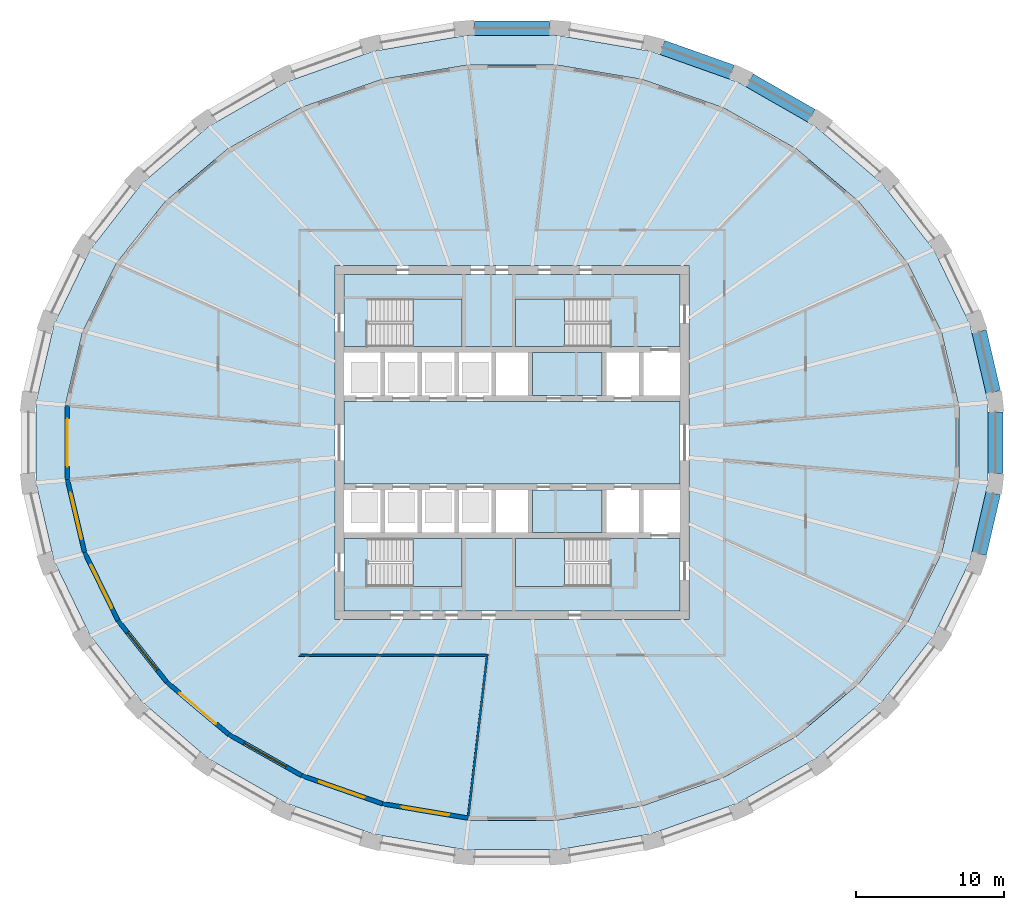
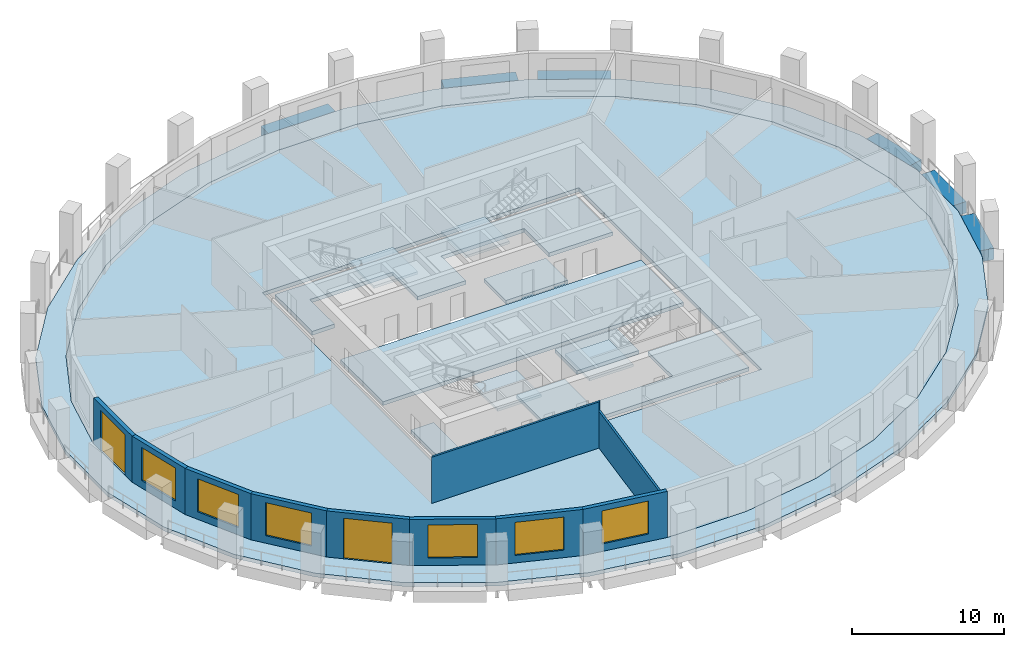
# One storey, part 2 of 10: 11 slabs, 10 walls, 6 beams, 6 windows, 2 doors, 8 openings, 4 elements without a shape of their own.
"""IFC4 building model written with IfcOpenShell, lengths in metres."""

from ifc_helpers import new_model, si_unit, direction, frame, frame_2d, origin, origin_2d, place, context, subcontext, project, spatial, polyline, rectangle, outline, extrude, material, layer, layer_set, material_profile, profile_set, type_object, element, fill, aggregate, save


model = new_model("IFC4")

# Units and contexts
model_context = context("Model", 3, precision=1e-05, world=origin(), true_north=direction((0.0, 1.0)))
body_context = subcontext(model_context, "Body", "Model", "MODEL_VIEW")
ifc_project = project(units=[si_unit("LENGTHUNIT", "METRE"), si_unit("AREAUNIT", "SQUARE_METRE"), si_unit("VOLUMEUNIT", "CUBIC_METRE"), si_unit("PLANEANGLEUNIT", "RADIAN"), si_unit("MASSUNIT", "GRAM", prefix="KILO")], contexts=[model_context])

# Site, building, storey
site_placement = place(None, origin())
site = spatial("IfcSite", under=ifc_project, at=site_placement, CompositionType="ELEMENT")
building_placement = place(site_placement, origin())
building = spatial("IfcBuilding", under=site, at=building_placement, Name="Halqa Exchange Tower", CompositionType="ELEMENT")
storey_placement = place(building_placement, frame((0.0, 0.0, 182.89990234375)))
storey = spatial("IfcBuildingStorey", under=building, at=storey_placement, Name="L41", CompositionType="ELEMENT", Elevation=182.89990234375)

# Beams
ifc_material_1 = material(Name="Concrete C60/75", Category="concrete")
ifc_material_profile = material_profile(ifc_material_1, rectangle(XDim=1.0, YDim=0.89990234375, at=origin_2d()), Name="1000 x 900")
ifc_profile_set = profile_set([ifc_material_profile], Name="Concrete C60/75")
beam_type = type_object("IfcBeamType", Name="RC spandrel beam 1000 x 900 C60/75", PredefinedType="SPANDREL", material=ifc_profile_set)
beam_1_placement = place(storey_placement, frame((32.60986328125, 3.424072265625, -0.449951171875), z_axis=(-0.226085562034, 0.974107447174, 0.0), x_axis=(-0.974107447174, -0.226085562034, 0.0)))
element("IfcBeam", 1, at=beam_1_placement, inside=storey, type_object=beam_type, Name="Spandrel 1", PredefinedType="SPANDREL", context=body_context, shape_type="SweptSolid", body=[
    extrude(rectangle(XDim=1.0, YDim=0.89990234375, at=origin_2d()), origin(), (0.0, 0.0, 1.0), 4.216796875),
])
beam_2_placement = place(storey_placement, frame((20.29931640625, 22.148193359375, -0.449951171875), z_axis=(-0.867742419962, 0.497014177462, 0.0), x_axis=(-0.497014177462, -0.867742419962, 0.0)))
element("IfcBeam", 2, at=beam_2_placement, inside=storey, type_object=beam_type, Name="Spandrel 5", PredefinedType="SPANDREL", context=body_context, shape_type="SweptSolid", body=[
    extrude(rectangle(XDim=1.0, YDim=0.89990234375, at=origin_2d()), origin(), (0.0, 0.0, 1.0), 4.8349609375),
])
beam_3_placement = place(storey_placement, frame((14.8828125, 25.11181640625, -0.449951171875), z_axis=(-0.942363905459, 0.3345897035, 0.0), x_axis=(-0.3345897035, -0.942363905459, 0.0)))
element("IfcBeam", 3, at=beam_3_placement, inside=storey, type_object=beam_type, Name="Spandrel 6", PredefinedType="SPANDREL", context=body_context, shape_type="SweptSolid", body=[
    extrude(rectangle(XDim=1.0, YDim=0.89990234375, at=origin_2d()), origin(), (0.0, 0.0, 1.0), 4.977783203125),
])
beam_4_placement = place(storey_placement, frame((2.551513671875, 28.082275390625, -0.449951171875), z_axis=(-1.0, 0.0, 0.0), x_axis=(0.0, -1.0, 0.0)))
element("IfcBeam", 4, at=beam_4_placement, inside=storey, type_object=beam_type, Name="Spandrel 8", PredefinedType="SPANDREL", context=body_context, shape_type="SweptSolid", body=[
    extrude(rectangle(XDim=1.0, YDim=0.89990234375, at=origin_2d()), origin(), (0.0, 0.0, 1.0), 5.10302734375),
])
beam_5_placement = place(storey_placement, frame((31.656494140625, -7.53173828125, -0.449951171875), z_axis=(0.226085562034, 0.974107447174, 0.0), x_axis=(-0.974107447174, 0.226085562034, 0.0)))
element("IfcBeam", 5, at=beam_5_placement, inside=storey, type_object=beam_type, Name="Spandrel 31", PredefinedType="SPANDREL", context=body_context, shape_type="SweptSolid", body=[
    extrude(rectangle(XDim=1.0, YDim=0.89990234375, at=origin_2d()), origin(), (0.0, 0.0, 1.0), 4.216796875),
])
beam_6_placement = place(storey_placement, frame((32.7626953125, -2.08984375, -0.449951171875), z_axis=(0.0, 1.0, 0.0), x_axis=(-1.0, 0.0, 0.0)))
element("IfcBeam", 6, at=beam_6_placement, inside=storey, type_object=beam_type, Name="Spandrel 32", PredefinedType="SPANDREL", context=body_context, shape_type="SweptSolid", body=[
    extrude(rectangle(XDim=1.0, YDim=0.89990234375, at=origin_2d()), origin(), (0.0, 0.0, 1.0), 4.1796875),
])

# Slabs
ifc_layer_1 = layer(ifc_material_1, 0.300048828125)
ifc_layer_set_1 = layer_set([ifc_layer_1], Name="Concrete C60/75")
slab_type_1 = type_object("IfcSlabType", Name="Core floor slab 300", PredefinedType="FLOOR", material=ifc_layer_set_1)
slab_1_placement = place(storey_placement, frame((0.0, 0.0, -0.2998046875)))
element("IfcSlab", 7, at=slab_1_placement, inside=storey, type_object=slab_type_1, Name="Core floor slab", PredefinedType="FLOOR", context=body_context, shape_type="SweptSolid", body=[
    extrude(outline(polyline([(-11.39990234375, 2.800048828125), (11.39990234375, 2.800048828125), (11.39990234375, -2.800048828125), (-11.39990234375, -2.800048828125), (-11.39990234375, 2.800048828125)])), origin(), (0.0, 0.0, 1.0), 0.2998046875),
])
slab_2_placement = place(storey_placement, frame((0.0, 0.0, -0.2998046875)))
element("IfcSlab", 8, at=slab_2_placement, inside=storey, type_object=slab_type_1, Name="Core floor slab", PredefinedType="FLOOR", context=body_context, shape_type="SweptSolid", body=[
    extrude(outline(polyline([(-11.39990234375, 11.39990234375), (11.39990234375, 11.39990234375), (11.39990234375, 6.5), (6.550048828125, 6.5), (6.550048828125, 9.75), (0.25, 9.75), (0.25, 6.5), (-3.39990234375, 6.5), (-3.39990234375, 9.75), (-9.699951171875, 9.75), (-9.699951171875, 6.5), (-11.39990234375, 6.5), (-11.39990234375, 11.39990234375)])), origin(), (0.0, 0.0, 1.0), 0.2998046875),
])
slab_3_placement = place(storey_placement, frame((0.0, 0.0, -0.2998046875)))
element("IfcSlab", 9, at=slab_3_placement, inside=storey, type_object=slab_type_1, Name="Core floor slab", PredefinedType="FLOOR", context=body_context, shape_type="SweptSolid", body=[
    extrude(outline(polyline([(-9.699951171875, -9.75), (-3.39990234375, -9.75), (-3.39990234375, -6.5), (0.25, -6.5), (0.25, -9.75), (6.550048828125, -9.75), (6.550048828125, -6.5), (11.39990234375, -6.5), (11.39990234375, -11.39990234375), (-11.39990234375, -11.39990234375), (-11.39990234375, -6.5), (-9.699951171875, -6.5), (-9.699951171875, -9.75)])), origin(), (0.0, 0.0, 1.0), 0.2998046875),
])
slab_4_placement = place(storey_placement, frame((0.0, 0.0, -0.2998046875)))
element("IfcSlab", 10, at=slab_4_placement, inside=storey, type_object=slab_type_1, Name="Core floor slab", PredefinedType="FLOOR", context=body_context, shape_type="SweptSolid", body=[
    extrude(outline(polyline([(6.10009765625, -3.199951171875), (6.10009765625, -6.10009765625), (1.39990234375, -6.10009765625), (1.39990234375, -3.199951171875), (6.10009765625, -3.199951171875)])), origin(), (0.0, 0.0, 1.0), 0.2998046875),
])
slab_5_placement = place(storey_placement, frame((0.0, 0.0, -0.2998046875)))
element("IfcSlab", 11, at=slab_5_placement, inside=storey, type_object=slab_type_1, Name="Core floor slab", PredefinedType="FLOOR", context=body_context, shape_type="SweptSolid", body=[
    extrude(outline(polyline([(6.10009765625, 6.10009765625), (6.10009765625, 3.199951171875), (1.39990234375, 3.199951171875), (1.39990234375, 6.10009765625), (6.10009765625, 6.10009765625)])), origin(), (0.0, 0.0, 1.0), 0.2998046875),
])
ifc_material_2 = material(Name="Concrete C40/50", Category="concrete")
ifc_layer_2 = layer(ifc_material_2, 0.300048828125)
ifc_layer_set_2 = layer_set([ifc_layer_2], Name="Concrete C40/50")
slab_type_2 = type_object("IfcSlabType", Name="RC floor slab 300", PredefinedType="FLOOR", material=ifc_layer_set_2)
slab_6_placement = place(storey_placement, frame((0.0, 0.0, -0.2998046875)))
element("IfcSlab", 12, at=slab_6_placement, inside=storey, type_object=slab_type_2, Name="Floor slab", PredefinedType="FLOOR", context=body_context, shape_type="SweptSolid", body=[
    extrude(outline(polyline([(30.276123046875, 2.5263671875), (29.1083984375, 7.480224609375), (26.819580078125, 12.14306640625), (23.50048828125, 16.3349609375), (19.280517578125, 19.89599609375), (14.322998046875, 22.691162109375), (8.818603515625, 24.615234375), (2.977294921875, 25.595703125), (-2.977294921875, 25.595703125), (-8.818603515625, 24.615234375), (-14.322998046875, 22.691162109375), (-19.280517578125, 19.89599609375), (-23.50048828125, 16.3349609375), (-26.819580078125, 12.14306640625), (-29.1083984375, 7.480224609375), (-30.276123046875, 2.5263671875), (-30.276123046875, -2.5263671875), (-29.1083984375, -7.480224609375), (-26.819580078125, -12.14306640625), (-23.50048828125, -16.3349609375), (-19.280517578125, -19.89599609375), (-14.322998046875, -22.691162109375), (-8.818603515625, -24.615234375), (-2.977294921875, -25.595703125), (2.977294921875, -25.595703125), (8.818603515625, -24.615234375), (14.322998046875, -22.691162109375), (19.280517578125, -19.89599609375), (23.50048828125, -16.3349609375), (26.819580078125, -12.14306640625), (29.1083984375, -7.480224609375), (30.276123046875, -2.5263671875), (30.276123046875, 2.5263671875)]), holes=[polyline([(-12.0, -12.0), (12.0, -12.0), (12.0, 12.0), (-12.0, 12.0), (-12.0, -12.0)])]), origin(), (0.0, 0.0, 1.0), 0.2998046875),
])
ifc_layer_3 = layer(ifc_material_2, 0.300048828125)
ifc_layer_set_3 = layer_set([ifc_layer_3], Name="Concrete C40/50")
slab_type_3 = type_object("IfcSlabType", Name="RC loggia slab 300", PredefinedType="FLOOR", material=ifc_layer_set_3)
slab_7_placement = place(storey_placement, frame((0.0, 0.0, -0.2998046875)))
element("IfcSlab", 13, at=slab_7_placement, inside=storey, type_object=slab_type_3, Name="Loggia slab", PredefinedType="FLOOR", context=body_context, shape_type="SweptSolid", body=[
    extrude(outline(polyline([(32.2626953125, 2.70849609375), (32.2626953125, -2.70849609375), (31.029052734375, -8.02392578125), (28.606689453125, -13.03662109375), (25.0849609375, -17.554443359375), (20.595458984375, -21.402587890625), (15.309326171875, -24.429931640625), (9.429931640625, -26.517333984375), (3.1845703125, -27.582275390625), (-3.1845703125, -27.582275390625), (-9.429931640625, -26.517333984375), (-15.309326171875, -24.429931640625), (-20.595458984375, -21.402587890625), (-25.0849609375, -17.554443359375), (-28.606689453125, -13.03662109375), (-31.029052734375, -8.02392578125), (-32.2626953125, -2.70849609375), (-32.2626953125, 2.70849609375), (-31.029052734375, 8.02392578125), (-28.606689453125, 13.03662109375), (-25.0849609375, 17.554443359375), (-20.595458984375, 21.402587890625), (-15.309326171875, 24.429931640625), (-9.429931640625, 26.517333984375), (-3.1845703125, 27.582275390625), (3.1845703125, 27.582275390625), (9.429931640625, 26.517333984375), (15.309326171875, 24.429931640625), (20.595458984375, 21.402587890625), (25.0849609375, 17.554443359375), (28.606689453125, 13.03662109375), (31.029052734375, 8.02392578125), (32.2626953125, 2.70849609375)]), holes=[polyline([(30.276123046875, 2.5263671875), (29.1083984375, 7.480224609375), (26.819580078125, 12.14306640625), (23.50048828125, 16.3349609375), (19.280517578125, 19.89599609375), (14.322998046875, 22.691162109375), (8.818603515625, 24.615234375), (2.977294921875, 25.595703125), (-2.977294921875, 25.595703125), (-8.818603515625, 24.615234375), (-14.322998046875, 22.691162109375), (-19.280517578125, 19.89599609375), (-23.50048828125, 16.3349609375), (-26.819580078125, 12.14306640625), (-29.1083984375, 7.480224609375), (-30.276123046875, 2.5263671875), (-30.276123046875, -2.5263671875), (-29.1083984375, -7.480224609375), (-26.819580078125, -12.14306640625), (-23.50048828125, -16.3349609375), (-19.280517578125, -19.89599609375), (-14.322998046875, -22.691162109375), (-8.818603515625, -24.615234375), (-2.977294921875, -25.595703125), (2.977294921875, -25.595703125), (8.818603515625, -24.615234375), (14.322998046875, -22.691162109375), (19.280517578125, -19.89599609375), (23.50048828125, -16.3349609375), (26.819580078125, -12.14306640625), (29.1083984375, -7.480224609375), (30.276123046875, -2.5263671875), (30.276123046875, 2.5263671875)])]), origin(), (0.0, 0.0, 1.0), 0.2998046875),
])

# Stair, slab
ifc_material_3 = material(Name="Concrete C30/37", Category="concrete")
stair_type = type_object("IfcStairType", Name="Exit stair 1500 wide", PredefinedType="HALF_TURN_STAIR", material=ifc_material_3)
stair_1_placement = place(storey_placement, origin())
stair_1 = element("IfcStair", 14, at=stair_1_placement, inside=storey, type_object=stair_type, Name="Exit stair ST1", PredefinedType="HALF_TURN_STAIR")
ifc_layer_4 = layer(ifc_material_3, 0.199951171875)
ifc_layer_set_4 = layer_set([ifc_layer_4], Name="Concrete C30/37")
slab_type_4 = type_object("IfcSlabType", Name="Stair landing 200 slab", PredefinedType="LANDING", material=ifc_layer_set_4)
slab_8_placement = place(storey_placement, frame((0.0, 0.0, 1.800048828125)))
slab_8 = element("IfcSlab", 15, at=slab_8_placement, type_object=slab_type_4, Name="ST1 landing 1", PredefinedType="LANDING", context=body_context, shape_type="SweptSolid", body=[
    extrude(outline(polyline([(-6.719970703125, 6.5), (-3.39990234375, 6.5), (-3.39990234375, 9.75), (-6.719970703125, 9.75), (-6.719970703125, 6.5)])), origin(), (0.0, 0.0, 1.0), 0.199951171875),
])
aggregate(stair_1, [slab_8])

stair_2_placement = place(storey_placement, origin())
stair_2 = element("IfcStair", 16, at=stair_2_placement, inside=storey, type_object=stair_type, Name="Exit stair ST2", PredefinedType="HALF_TURN_STAIR")
slab_9_placement = place(storey_placement, frame((0.0, 0.0, 1.800048828125)))
slab_9 = element("IfcSlab", 17, at=slab_9_placement, type_object=slab_type_4, Name="ST2 landing 1", PredefinedType="LANDING", context=body_context, shape_type="SweptSolid", body=[
    extrude(outline(polyline([(0.25, 6.5), (3.570068359375, 6.5), (3.570068359375, 9.75), (0.25, 9.75), (0.25, 6.5)])), origin(), (0.0, 0.0, 1.0), 0.199951171875),
])
aggregate(stair_2, [slab_9])

stair_3_placement = place(storey_placement, origin())
stair_3 = element("IfcStair", 18, at=stair_3_placement, inside=storey, type_object=stair_type, Name="Exit stair ST3", PredefinedType="HALF_TURN_STAIR")
slab_10_placement = place(storey_placement, frame((0.0, 0.0, 1.800048828125)))
slab_10 = element("IfcSlab", 19, at=slab_10_placement, type_object=slab_type_4, Name="ST3 landing 1", PredefinedType="LANDING", context=body_context, shape_type="SweptSolid", body=[
    extrude(outline(polyline([(-6.719970703125, -9.75), (-3.39990234375, -9.75), (-3.39990234375, -6.5), (-6.719970703125, -6.5), (-6.719970703125, -9.75)])), origin(), (0.0, 0.0, 1.0), 0.199951171875),
])
aggregate(stair_3, [slab_10])

stair_4_placement = place(storey_placement, origin())
stair_4 = element("IfcStair", 20, at=stair_4_placement, inside=storey, type_object=stair_type, Name="Exit stair ST4", PredefinedType="HALF_TURN_STAIR")
slab_11_placement = place(storey_placement, frame((0.0, 0.0, 1.800048828125)))
slab_11 = element("IfcSlab", 21, at=slab_11_placement, type_object=slab_type_4, Name="ST4 landing 1", PredefinedType="LANDING", context=body_context, shape_type="SweptSolid", body=[
    extrude(outline(polyline([(0.25, -9.75), (3.570068359375, -9.75), (3.570068359375, -6.5), (0.25, -6.5), (0.25, -9.75)])), origin(), (0.0, 0.0, 1.0), 0.199951171875),
])
aggregate(stair_4, [slab_11])

# Walls
ifc_material_4 = material(Name="Fire-rated gypsum board")
ifc_layer_5 = layer(ifc_material_4, 0.14990234375)
ifc_layer_set_5 = layer_set([ifc_layer_5], Name="Fire-rated gypsum board")
wall_type_1 = type_object("IfcWallType", Name="Fire partition EI 60 150", PredefinedType="PARTITIONING", material=ifc_layer_set_5)
wall_1_placement = place(storey_placement, frame((-2.953857421875, -25.29150390625, 0.0), z_axis=(0.0, 0.0, 1.0), x_axis=(0.116172056535, 0.993229104125, 0.0)))
element("IfcWall", 22, at=wall_1_placement, inside=storey, type_object=wall_type_1, Name="L41-PWL-011", PredefinedType="PARTITIONING", context=body_context, shape_type="SweptSolid", body=[
    extrude(outline(polyline([(11.0498046875, -0.074951171875), (11.0498046875, -0.07470703125), (10.9658203125, 0.0), (10.881591796875, 0.074951171875), (9.06787109375, 0.074951171875), (7.25439453125, 0.074951171875), (5.440673828125, 0.074951171875), (3.627197265625, 0.074951171875), (1.8134765625, 0.074951171875), (0.0, 0.074951171875), (0.0, -0.0361328125), (0.004638671875, -0.074951171875), (1.845458984375, -0.074951171875), (3.686279296875, -0.074951171875), (5.527099609375, -0.074951171875), (7.3681640625, -0.074951171875), (9.208984375, -0.074951171875), (11.0498046875, -0.074951171875)])), origin(), (0.0, 0.0, 1.0), 2.947021484375),
])
wall_2_placement = place(storey_placement, frame((-1.595703125, -14.39990234375, 0.0), z_axis=(0.0, 0.0, 1.0), x_axis=(-1.0, 0.0, 0.0)))
element("IfcWall", 23, at=wall_2_placement, inside=storey, type_object=wall_type_1, Name="L41-PWL-012", PredefinedType="PARTITIONING", context=body_context, shape_type="SweptSolid", body=[
    extrude(outline(polyline([(0.0, -0.074951171875), (1.818359375, -0.074951171875), (3.636962890625, -0.074951171875), (5.455322265625, -0.074951171875), (7.27392578125, -0.074951171875), (9.09228515625, -0.074951171875), (10.910888671875, -0.074951171875), (12.729248046875, -0.074951171875), (12.879150390625, 0.074951171875), (11.063232421875, 0.074951171875), (9.24755859375, 0.074951171875), (7.431640625, 0.074951171875), (5.615966796875, 0.074951171875), (3.800048828125, 0.074951171875), (1.984130859375, 0.074951171875), (0.16845703125, 0.074951171875), (0.0, -0.074951171875), (0.0, -0.074951171875)])), origin(), (0.0, 0.0, 1.0), 3.7001953125),
])

# Wall, opening, door
ifc_material_5 = material(Name="Limestone cladding", Category="masonry")
ifc_layer_6 = layer(ifc_material_5, 0.0400390625)
ifc_material_6 = material(Name="Ventilated cavity")
ifc_layer_7 = layer(ifc_material_6, 0.030029296875, ventilated=True)
ifc_material_7 = material(Name="Mineral wool insulation")
ifc_layer_8 = layer(ifc_material_7, 0.10009765625)
ifc_layer_9 = layer(ifc_material_3, 0.10009765625)
ifc_material_8 = material(Name="Internal plaster")
ifc_layer_10 = layer(ifc_material_8, 0.030029296875)
ifc_layer_set_6 = layer_set([ifc_layer_6, ifc_layer_7, ifc_layer_8, ifc_layer_9, ifc_layer_10], Name="Stone-faced insulated wall 300")
wall_type_2 = type_object("IfcWallType", Name="Stone-faced insulated wall 300", PredefinedType="STANDARD", material=ifc_layer_set_6)
wall_3_placement = place(storey_placement, frame((-30.126220703125, 2.5087890625, 0.0), z_axis=(0.0, 0.0, 1.0), x_axis=(0.0, -1.0, 0.0)))
wall_3 = element("IfcWall", 24, at=wall_3_placement, inside=storey, type_object=wall_type_2, Name="Glass-line wall 16", PredefinedType="STANDARD", context=body_context, shape_type="SweptSolid", body=[
    extrude(outline(polyline([(-0.017333984375, -0.14990234375), (5.034912109375, -0.14990234375), (5.000244140625, 0.14990234375), (0.017333984375, 0.14990234375), (-0.017333984375, -0.14990234375)])), origin(), (0.0, 0.0, 1.0), 3.7001953125),
])
opening_1_placement = place(wall_3_placement, frame((0.8837890625, 0.0, 0.0)))
opening_1 = element("IfcOpeningElement", 25, at=opening_1_placement, cuts=wall_3, Name="Opening LG-F3-04", PredefinedType="OPENING", context=body_context, shape_type="SweptSolid", body=[
    extrude(rectangle(XDim=3.25, YDim=3.25, at=frame_2d((1.625, 1.625))), frame((0.0, 0.162109375, 0.0), z_axis=(0.0, -1.0, 0.0), x_axis=(1.0, 0.0, 0.0)), (0.0, 0.0, 1.0), 0.323974609375),
])
ifc_material_9 = material(Name="Clear low-emissivity glass in aluminium frame", Category="aluminium")
door_type = type_object("IfcDoorType", Name="Glazed sliding loggia door 3250 x 3250", OperationType="DOUBLE_DOOR_SLIDING", PredefinedType="DOOR", material=ifc_material_9)
door_1_placement = place(opening_1_placement, origin())
door_1 = element("IfcDoor", 26, at=door_1_placement, inside=storey, type_object=door_type, Name="Loggia door 4", OperationType="DOUBLE_DOOR_SLIDING", OverallHeight=3.25, OverallWidth=3.25, PredefinedType="DOOR", context=body_context, shape_type="SweptSolid", body=[
    extrude(rectangle(XDim=3.25, YDim=3.25, at=frame_2d((1.625, 1.625))), frame((0.0, 0.02490234375, 0.0), z_axis=(0.0, -1.0, 0.0), x_axis=(1.0, 0.0, 0.0)), (0.0, 0.0, 1.0), 0.050048828125),
])
fill(opening_1, door_1)

# Wall, opening, window
wall_4_placement = place(storey_placement, frame((-30.126220703125, -2.5087890625, 0.0), z_axis=(0.0, 0.0, 1.0), x_axis=(0.229434992017, -0.973323987395, 0.0)))
wall_4 = element("IfcWall", 27, at=wall_4_placement, inside=storey, type_object=wall_type_2, Name="Glass-line wall 17", PredefinedType="STANDARD", context=body_context, shape_type="SweptSolid", body=[
    extrude(outline(polyline([(-0.017333984375, -0.14990234375), (5.072265625, -0.14990234375), (5.03857421875, 0.14990234375), (0.017333984375, 0.14990234375), (-0.017333984375, -0.14990234375)])), origin(), (0.0, 0.0, 1.0), 3.7001953125),
])
opening_2_placement = place(wall_4_placement, frame((0.902587890625, 0.0, 0.60009765625)))
opening_2 = element("IfcOpeningElement", 28, at=opening_2_placement, cuts=wall_4, Name="Opening W-F3-17", PredefinedType="OPENING", context=body_context, shape_type="SweptSolid", body=[
    extrude(rectangle(XDim=3.25, YDim=2.64990234375, at=frame_2d((1.625, 1.324951171875))), frame((0.0, 0.162109375, 0.0), z_axis=(0.0, -1.0, 0.0), x_axis=(1.0, 0.0, 0.0)), (0.0, 0.0, 1.0), 0.323974609375),
])
window_type = type_object("IfcWindowType", Name="Fixed clear glazed window 3250 x 2650", PartitioningType="TRIPLE_PANEL_VERTICAL", PredefinedType="WINDOW", material=ifc_material_9)
window_1_placement = place(opening_2_placement, origin())
window_1 = element("IfcWindow", 29, at=window_1_placement, inside=storey, type_object=window_type, Name="Window 3", OverallHeight=2.64990234375, OverallWidth=3.25, PartitioningType="TRIPLE_PANEL_VERTICAL", PredefinedType="WINDOW", context=body_context, shape_type="SweptSolid", body=[
    extrude(rectangle(XDim=3.25, YDim=2.64990234375, at=frame_2d((1.625, 1.324951171875))), frame((0.0, 0.030029296875, 0.0), z_axis=(0.0, -1.0, 0.0), x_axis=(1.0, 0.0, 0.0)), (0.0, 0.0, 1.0), 0.06005859375),
])
fill(opening_2, window_1)

wall_5_placement = place(storey_placement, frame((-28.96630859375, -7.429443359375, 0.0), z_axis=(0.0, 0.0, 1.0), x_axis=(0.440673883676, -0.897667270343, 0.0)))
wall_5 = element("IfcWall", 30, at=wall_5_placement, inside=storey, type_object=wall_type_2, Name="Glass-line wall 18", PredefinedType="STANDARD", context=body_context, shape_type="SweptSolid", body=[
    extrude(outline(polyline([(-0.016845703125, -0.14990234375), (5.17724609375, -0.14990234375), (5.14501953125, 0.14990234375), (0.016845703125, 0.14990234375), (-0.016845703125, -0.14990234375)])), origin(), (0.0, 0.0, 1.0), 3.7001953125),
])
opening_3_placement = place(wall_5_placement, frame((0.95556640625, 0.0, 0.60009765625)))
opening_3 = element("IfcOpeningElement", 31, at=opening_3_placement, cuts=wall_5, Name="Opening W-F3-18", PredefinedType="OPENING", context=body_context, shape_type="SweptSolid", body=[
    extrude(rectangle(XDim=3.25, YDim=2.64990234375, at=frame_2d((1.625, 1.324951171875))), frame((0.0, 0.162109375, 0.0), z_axis=(0.0, -1.0, 0.0), x_axis=(1.0, 0.0, 0.0)), (0.0, 0.0, 1.0), 0.323974609375),
])
window_2_placement = place(opening_3_placement, origin())
window_2 = element("IfcWindow", 32, at=window_2_placement, inside=storey, type_object=window_type, Name="Window 3", OverallHeight=2.64990234375, OverallWidth=3.25, PartitioningType="TRIPLE_PANEL_VERTICAL", PredefinedType="WINDOW", context=body_context, shape_type="SweptSolid", body=[
    extrude(rectangle(XDim=3.25, YDim=2.64990234375, at=frame_2d((1.625, 1.324951171875))), frame((0.0, 0.030029296875, 0.0), z_axis=(0.0, -1.0, 0.0), x_axis=(1.0, 0.0, 0.0)), (0.0, 0.0, 1.0), 0.06005859375),
])
fill(opening_3, window_2)

wall_6_placement = place(storey_placement, frame((-26.69189453125, -12.0625, 0.0), z_axis=(0.0, 0.0, 1.0), x_axis=(0.620766467446, -0.78399553117, 0.0)))
wall_6 = element("IfcWall", 33, at=wall_6_placement, inside=storey, type_object=wall_type_2, Name="Glass-line wall 19", PredefinedType="STANDARD", context=body_context, shape_type="SweptSolid", body=[
    extrude(outline(polyline([(-0.01611328125, -0.14990234375), (5.330810546875, -0.14990234375), (5.300537109375, 0.14990234375), (0.01611328125, 0.14990234375), (-0.01611328125, -0.14990234375)])), origin(), (0.0, 0.0, 1.0), 3.7001953125),
])
opening_4_placement = place(wall_6_placement, frame((1.032958984375, 0.0, 0.60009765625)))
opening_4 = element("IfcOpeningElement", 34, at=opening_4_placement, cuts=wall_6, Name="Opening W-F3-19", PredefinedType="OPENING", context=body_context, shape_type="SweptSolid", body=[
    extrude(rectangle(XDim=3.25, YDim=2.64990234375, at=frame_2d((1.625, 1.324951171875))), frame((0.0, 0.162109375, 0.0), z_axis=(0.0, -1.0, 0.0), x_axis=(1.0, 0.0, 0.0)), (0.0, 0.0, 1.0), 0.323974609375),
])
window_3_placement = place(opening_4_placement, origin())
window_3 = element("IfcWindow", 35, at=window_3_placement, inside=storey, type_object=window_type, Name="Window 3", OverallHeight=2.64990234375, OverallWidth=3.25, PartitioningType="TRIPLE_PANEL_VERTICAL", PredefinedType="WINDOW", context=body_context, shape_type="SweptSolid", body=[
    extrude(rectangle(XDim=3.25, YDim=2.64990234375, at=frame_2d((1.625, 1.324951171875))), frame((0.0, 0.030029296875, 0.0), z_axis=(0.0, -1.0, 0.0), x_axis=(1.0, 0.0, 0.0)), (0.0, 0.0, 1.0), 0.06005859375),
])
fill(opening_4, window_3)

# Wall, opening, door
wall_7_placement = place(storey_placement, frame((-23.39208984375, -16.22998046875, 0.0), z_axis=(0.0, 0.0, 1.0), x_axis=(0.764238764041, -0.64493341636, 0.0)))
wall_7 = element("IfcWall", 36, at=wall_7_placement, inside=storey, type_object=wall_type_2, Name="Glass-line wall 20", PredefinedType="STANDARD", context=body_context, shape_type="SweptSolid", body=[
    extrude(outline(polyline([(-0.01513671875, -0.14990234375), (5.506591796875, -0.14990234375), (5.478271484375, 0.14990234375), (0.01513671875, 0.14990234375), (-0.01513671875, -0.14990234375)])), origin(), (0.0, 0.0, 1.0), 3.7001953125),
])
opening_5_placement = place(wall_7_placement, frame((1.12109375, 0.0, 0.0)))
opening_5 = element("IfcOpeningElement", 37, at=opening_5_placement, cuts=wall_7, Name="Opening LG-F3-05", PredefinedType="OPENING", context=body_context, shape_type="SweptSolid", body=[
    extrude(rectangle(XDim=3.25, YDim=3.25, at=frame_2d((1.625, 1.625))), frame((0.0, 0.162109375, 0.0), z_axis=(0.0, -1.0, 0.0), x_axis=(1.0, 0.0, 0.0)), (0.0, 0.0, 1.0), 0.323974609375),
])
door_2_placement = place(opening_5_placement, origin())
door_2 = element("IfcDoor", 38, at=door_2_placement, inside=storey, type_object=door_type, Name="Loggia door 5", OperationType="DOUBLE_DOOR_SLIDING", OverallHeight=3.25, OverallWidth=3.25, PredefinedType="DOOR", context=body_context, shape_type="SweptSolid", body=[
    extrude(rectangle(XDim=3.25, YDim=3.25, at=frame_2d((1.625, 1.625))), frame((0.0, 0.02490234375, 0.0), z_axis=(0.0, -1.0, 0.0), x_axis=(1.0, 0.0, 0.0)), (0.0, 0.0, 1.0), 0.050048828125),
])
fill(opening_5, door_2)

# Wall, opening, window
wall_8_placement = place(storey_placement, frame((-19.194580078125, -19.772216796875, 0.0), z_axis=(0.0, 0.0, 1.0), x_axis=(0.871077775545, -0.491145099691, 0.0)))
wall_8 = element("IfcWall", 39, at=wall_8_placement, inside=storey, type_object=wall_type_2, Name="Glass-line wall 21", PredefinedType="STANDARD", context=body_context, shape_type="SweptSolid", body=[
    extrude(outline(polyline([(-0.01416015625, -0.14990234375), (5.67724609375, -0.14990234375), (5.650390625, 0.14990234375), (0.01416015625, 0.14990234375), (-0.01416015625, -0.14990234375)])), origin(), (0.0, 0.0, 1.0), 3.7001953125),
])
opening_6_placement = place(wall_8_placement, frame((1.206787109375, 0.0, 0.60009765625)))
opening_6 = element("IfcOpeningElement", 40, at=opening_6_placement, cuts=wall_8, Name="Opening W-F3-21", PredefinedType="OPENING", context=body_context, shape_type="SweptSolid", body=[
    extrude(rectangle(XDim=3.25, YDim=2.64990234375, at=frame_2d((1.625, 1.324951171875))), frame((0.0, 0.162109375, 0.0), z_axis=(0.0, -1.0, 0.0), x_axis=(1.0, 0.0, 0.0)), (0.0, 0.0, 1.0), 0.323974609375),
])
window_4_placement = place(opening_6_placement, origin())
window_4 = element("IfcWindow", 41, at=window_4_placement, inside=storey, type_object=window_type, Name="Window 3", OverallHeight=2.64990234375, OverallWidth=3.25, PartitioningType="TRIPLE_PANEL_VERTICAL", PredefinedType="WINDOW", context=body_context, shape_type="SweptSolid", body=[
    extrude(rectangle(XDim=3.25, YDim=2.64990234375, at=frame_2d((1.625, 1.324951171875))), frame((0.0, 0.030029296875, 0.0), z_axis=(0.0, -1.0, 0.0), x_axis=(1.0, 0.0, 0.0)), (0.0, 0.0, 1.0), 0.06005859375),
])
fill(opening_6, window_4)

wall_9_placement = place(storey_placement, frame((-14.260986328125, -22.553955078125, 0.0), z_axis=(0.0, 0.0, 1.0), x_axis=(0.943990724372, -0.329971987144, 0.0)))
wall_9 = element("IfcWall", 42, at=wall_9_placement, inside=storey, type_object=wall_type_2, Name="Glass-line wall 22", PredefinedType="STANDARD", context=body_context, shape_type="SweptSolid", body=[
    extrude(outline(polyline([(-0.013427734375, -0.14990234375), (5.81787109375, -0.14990234375), (5.79248046875, 0.14990234375), (0.013427734375, 0.14990234375), (-0.013427734375, -0.14990234375)])), origin(), (0.0, 0.0, 1.0), 3.7001953125),
])
opening_7_placement = place(wall_9_placement, frame((1.277587890625, 0.0, 0.60009765625)))
opening_7 = element("IfcOpeningElement", 43, at=opening_7_placement, cuts=wall_9, Name="Opening W-F3-22", PredefinedType="OPENING", context=body_context, shape_type="SweptSolid", body=[
    extrude(rectangle(XDim=3.25, YDim=2.64990234375, at=frame_2d((1.625, 1.324951171875))), frame((0.0, 0.162109375, 0.0), z_axis=(0.0, -1.0, 0.0), x_axis=(1.0, 0.0, 0.0)), (0.0, 0.0, 1.0), 0.323974609375),
])
window_5_placement = place(opening_7_placement, origin())
window_5 = element("IfcWindow", 44, at=window_5_placement, inside=storey, type_object=window_type, Name="Window 3", OverallHeight=2.64990234375, OverallWidth=3.25, PartitioningType="TRIPLE_PANEL_VERTICAL", PredefinedType="WINDOW", context=body_context, shape_type="SweptSolid", body=[
    extrude(rectangle(XDim=3.25, YDim=2.64990234375, at=frame_2d((1.625, 1.324951171875))), frame((0.0, 0.030029296875, 0.0), z_axis=(0.0, -1.0, 0.0), x_axis=(1.0, 0.0, 0.0)), (0.0, 0.0, 1.0), 0.06005859375),
])
fill(opening_7, window_5)

wall_10_placement = place(storey_placement, frame((-8.781005859375, -24.469482421875, 0.0), z_axis=(0.0, 0.0, 1.0), x_axis=(0.986201934369, -0.165546805001, 0.0)))
wall_10 = element("IfcWall", 45, at=wall_10_placement, inside=storey, type_object=wall_type_2, Name="Glass-line wall 23", PredefinedType="STANDARD", context=body_context, shape_type="SweptSolid", body=[
    extrude(outline(polyline([(-0.0126953125, -0.14990234375), (5.909912109375, -0.14990234375), (5.885009765625, 0.14990234375), (0.0126953125, 0.14990234375), (-0.0126953125, -0.14990234375)])), origin(), (0.0, 0.0, 1.0), 3.7001953125),
])
opening_8_placement = place(wall_10_placement, frame((1.32373046875, 0.0, 0.60009765625)))
opening_8 = element("IfcOpeningElement", 46, at=opening_8_placement, cuts=wall_10, Name="Opening W-F3-23", PredefinedType="OPENING", context=body_context, shape_type="SweptSolid", body=[
    extrude(rectangle(XDim=3.25, YDim=2.64990234375, at=frame_2d((1.625, 1.324951171875))), frame((0.0, 0.162109375, 0.0), z_axis=(0.0, -1.0, 0.0), x_axis=(1.0, 0.0, 0.0)), (0.0, 0.0, 1.0), 0.323974609375),
])
window_6_placement = place(opening_8_placement, origin())
window_6 = element("IfcWindow", 47, at=window_6_placement, inside=storey, type_object=window_type, Name="Window 3", OverallHeight=2.64990234375, OverallWidth=3.25, PartitioningType="TRIPLE_PANEL_VERTICAL", PredefinedType="WINDOW", context=body_context, shape_type="SweptSolid", body=[
    extrude(rectangle(XDim=3.25, YDim=2.64990234375, at=frame_2d((1.625, 1.324951171875))), frame((0.0, 0.030029296875, 0.0), z_axis=(0.0, -1.0, 0.0), x_axis=(1.0, 0.0, 0.0)), (0.0, 0.0, 1.0), 0.06005859375),
])
fill(opening_8, window_6)

save(model, "model.ifc")
